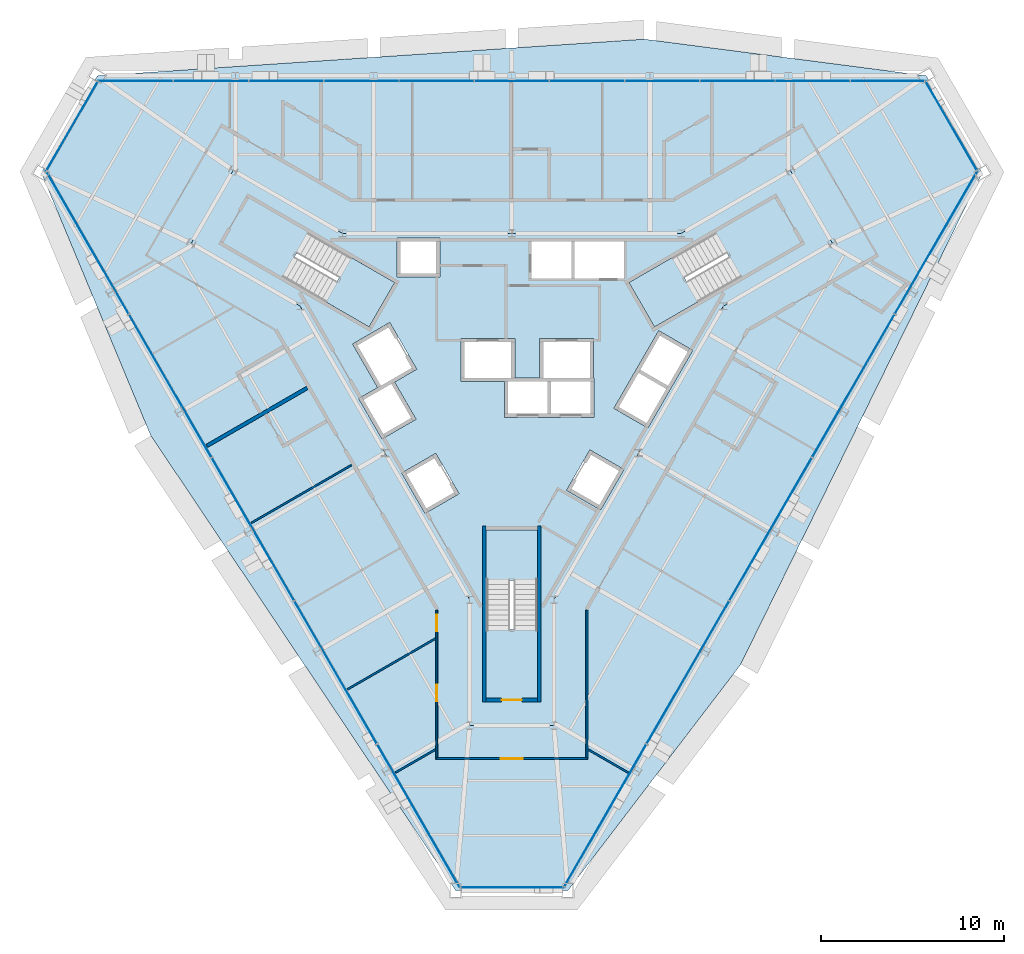
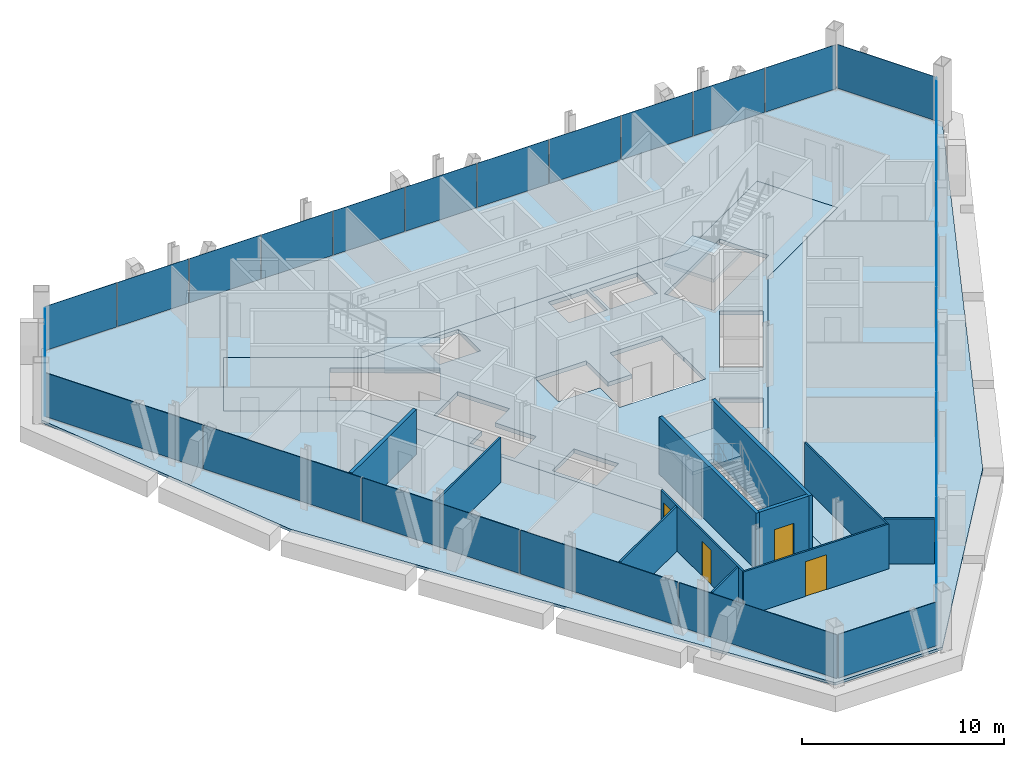
# One storey, part 8 of 13: 24 plates, 11 walls, 5 slabs, 4 doors, 4 openings, 9 elements without a shape of their own.
"""IFC4 building model written with IfcOpenShell, lengths in metres."""

import ifcopenshell
import ifcopenshell.guid

model = None  # the IFC model being written
_history = None  # IfcOwnerHistory: only IFC2X3 demands one
_inside = {}  # id of a spatial element -> (the spatial element, [elements in it])
_under = {}  # id of a project, library or spatial element -> (it, [spatial elements below it])
_declared = {}  # id of a project -> (the project, [libraries it declares])
_typed = {}  # id of a type object -> (the type object, [elements of that type])
_made_of = {}  # id of a material, layer set ... -> (it, [elements and type objects made of it])


def new_model(schema):
    """Start an empty IFC model of exactly this schema.

    Asked for "IFC4X3", IfcOpenShell would pick the latest addendum, in which some entities
    have other attributes; the version numbers below select the first issue.
    IFC2X3 requires an IfcOwnerHistory on every rooted entity: one is made here for all.
    """
    global model, _history
    if schema == "IFC4X3":
        model = ifcopenshell.file(schema_version=(4, 3, 0, 0))
    else:
        model = ifcopenshell.file(schema=schema)
    _inside.clear()
    _under.clear()
    _declared.clear()
    _typed.clear()
    _made_of.clear()
    _history = None
    if model.schema == "IFC2X3":
        org = make("IfcOrganization", Name="unknown")
        user = make(
            "IfcPersonAndOrganization",
            ThePerson=make("IfcPerson", FamilyName="unknown"),
            TheOrganization=org,
        )
        app = make(
            "IfcApplication",
            ApplicationDeveloper=org,
            Version="unknown",
            ApplicationFullName="unknown",
            ApplicationIdentifier="unknown",
        )
        _history = make(
            "IfcOwnerHistory",
            OwningUser=user,
            OwningApplication=app,
            ChangeAction="ADDED",
            CreationDate=0,
        )
    return model


def make(cls, **values):
    """One entity of the class cls with the attributes given. An attribute that is None is left unset."""
    return model.create_entity(
        cls, **{name: value for name, value in values.items() if value is not None}
    )


def rooted(cls, **values):
    """An entity with a GlobalId (a new one), such as an element, a storey or a relation."""
    return make(cls, GlobalId=ifcopenshell.guid.new(), OwnerHistory=_history, **values)


def si_unit(unit_type, name, prefix=None):
    """IfcSIUnit, for example si_unit("LENGTHUNIT", "METRE", prefix="MILLI")."""
    return make("IfcSIUnit", UnitType=unit_type, Prefix=prefix, Name=name)


def assignment(units):
    """IfcUnitAssignment: the units of a project."""
    return None if units is None else make("IfcUnitAssignment", Units=units)


def point(xyz):
    """IfcCartesianPoint."""
    return None if xyz is None else make("IfcCartesianPoint", Coordinates=xyz)


def direction(xyz):
    """IfcDirection."""
    return None if xyz is None else make("IfcDirection", DirectionRatios=xyz)


def frame(location, z_axis=None, x_axis=None):
    """IfcAxis2Placement3D, a coordinate frame: its origin and axes. An axis left out is left unset."""
    return make(
        "IfcAxis2Placement3D",
        Location=point(location),
        Axis=direction(z_axis),
        RefDirection=direction(x_axis),
    )


def frame_2d(location, x_axis=None):
    """IfcAxis2Placement2D, a coordinate frame in the plane: its origin and x axis."""
    return make(
        "IfcAxis2Placement2D", Location=point(location), RefDirection=direction(x_axis)
    )


def origin():
    """The frame at (0, 0, 0) with its axes left unset."""
    return frame((0.0, 0.0, 0.0))


def origin_2d():
    """The frame at (0, 0) in the plane with its x axis left unset."""
    return frame_2d((0.0, 0.0))


def place(relative_to, where):
    """IfcLocalPlacement: puts the frame where relative to a parent placement (None: the world)."""
    return make(
        "IfcLocalPlacement", PlacementRelTo=relative_to, RelativePlacement=where
    )


def context(
    kind, dimensions, precision=None, world=None, true_north=None, identifier=None
):
    """IfcGeometricRepresentationContext, for example the 3D "Model" context."""
    return make(
        "IfcGeometricRepresentationContext",
        ContextIdentifier=identifier,
        ContextType=kind,
        CoordinateSpaceDimension=dimensions,
        Precision=precision,
        WorldCoordinateSystem=world,
        TrueNorth=true_north,
    )


def subcontext(parent, identifier, kind, view, scale=None):
    """IfcGeometricRepresentationSubContext, for example "Body" below "Model"."""
    return make(
        "IfcGeometricRepresentationSubContext",
        ContextIdentifier=identifier,
        ContextType=kind,
        ParentContext=parent,
        TargetScale=scale,
        TargetView=view,
    )


def project(units=None, contexts=None):
    """IfcProject with its units and contexts."""
    return rooted(
        "IfcProject",
        Name="project",
        RepresentationContexts=contexts,
        UnitsInContext=assignment(units),
    )


def spatial(cls, under=None, at=None, **own):
    """A site, building, storey or space (cls), placed at a placement, below another one or the project."""
    s = rooted(cls, ObjectPlacement=at, **own)
    if under is not None:
        _under.setdefault(under.id(), (under, []))[1].append(s)
    return s


def polyline(points):
    """IfcPolyline through the points."""
    return make("IfcPolyline", Points=[point(p) for p in points])


def profile(cls, at=None, kind="AREA", **sizes):
    """A parametric profile (cls). Its sizes go by their IFC names, for example OverallWidth=200.0."""
    return make(cls, ProfileType=kind, Position=at, **sizes)


def rectangle(**sizes):
    """IfcRectangleProfileDef."""
    return profile("IfcRectangleProfileDef", **sizes)


def outline(outer, holes=None, kind="AREA"):
    """IfcArbitraryClosedProfileDef: a profile drawn as a closed curve; with holes, ...WithVoids."""
    if holes is None:
        return make("IfcArbitraryClosedProfileDef", ProfileType=kind, OuterCurve=outer)
    return make(
        "IfcArbitraryProfileDefWithVoids",
        ProfileType=kind,
        OuterCurve=outer,
        InnerCurves=holes,
    )


def extrude(swept, where, along, depth):
    """IfcExtrudedAreaSolid: the profile swept, set in the frame where, extruded along a direction by depth."""
    return make(
        "IfcExtrudedAreaSolid",
        SweptArea=swept,
        Position=where,
        ExtrudedDirection=direction(along),
        Depth=depth,
    )


def shape(context_of_items, identifier, shape_type, items):
    """IfcShapeRepresentation: the items that make up one representation, for example the "Body"."""
    return make(
        "IfcShapeRepresentation",
        ContextOfItems=context_of_items,
        RepresentationIdentifier=identifier,
        RepresentationType=shape_type,
        Items=items,
    )


def material(Name=None, Category=None):
    """IfcMaterial."""
    return make("IfcMaterial", Name=Name, Category=Category)


def layer(
    of_material, thickness, ventilated=None, Name=None, Category=None, Priority=None
):
    """IfcMaterialLayer: one layer of a wall or slab, of a material (None: an air gap)."""
    return make(
        "IfcMaterialLayer",
        Material=of_material,
        LayerThickness=thickness,
        IsVentilated=ventilated,
        Name=Name,
        Category=Category,
        Priority=Priority,
    )


def layer_set(layers, Name=None):
    """IfcMaterialLayerSet."""
    return make("IfcMaterialLayerSet", MaterialLayers=layers, LayerSetName=Name)


def made_of(thing, what):
    """Note that an element or type object is made of a material, layer set ...; save() writes the relation."""
    if what is not None:
        _made_of.setdefault(what.id(), (what, []))[1].append(thing)
    return thing


def type_object(cls, material=None, **own):
    """A type object (cls), such as IfcWallType, which elements share."""
    return made_of(rooted(cls, **own), material)


def element(
    cls,
    number,
    at=None,
    inside=None,
    cuts=None,
    type_object=None,
    material=None,
    context=None,
    identifier="Body",
    shape_type=None,
    held_by="IfcProductDefinitionShape",
    body=None,
    shapes=None,
    **own,
):
    """One element of the class cls, such as IfcWall. Its Tag is "e" and its number.

    at: its placement. inside: the storey or other place that contains it. cuts: it is an
    opening in that element (IfcRelVoidsElement). A single representation is given by context,
    identifier, shape_type and body (its items); several are given by shapes. held_by: the class
    of the entity that holds the representations. save() writes the other relations.
    """
    e = rooted(cls, Tag="e%d" % number, ObjectPlacement=at, **own)
    if body is not None:
        shapes = [shape(context, identifier, shape_type, body)]
    if shapes is not None:
        e.Representation = make(held_by, Representations=shapes)
    if inside is not None:
        _inside.setdefault(inside.id(), (inside, []))[1].append(e)
    if cuts is not None:
        rooted(
            "IfcRelVoidsElement", RelatingBuildingElement=cuts, RelatedOpeningElement=e
        )
    if type_object is not None:
        _typed.setdefault(type_object.id(), (type_object, []))[1].append(e)
    return made_of(e, material)


def fill(opening, filler):
    """IfcRelFillsElement: the door or window that sits in an opening."""
    return rooted(
        "IfcRelFillsElement",
        RelatingOpeningElement=opening,
        RelatedBuildingElement=filler,
    )


def aggregate(whole, parts):
    """IfcRelAggregates: a whole, such as a stair, and the parts it consists of."""
    return rooted("IfcRelAggregates", RelatingObject=whole, RelatedObjects=parts)


def save(model, path):
    """Write the relations noted so far, then the file.

    IfcRelAggregates (storeys below a building ...), IfcRelContainedInSpatialStructure (elements
    in a storey), IfcRelDefinesByType, IfcRelAssociatesMaterial and IfcRelDeclares: one each for
    every whole, place, type object, material and project.
    """
    for whole, parts in _under.values():
        aggregate(whole, parts)
    for where, things in _inside.values():
        rooted(
            "IfcRelContainedInSpatialStructure",
            RelatedElements=things,
            RelatingStructure=where,
        )
    for kind, things in _typed.values():
        rooted("IfcRelDefinesByType", RelatedObjects=things, RelatingType=kind)
    for what, things in _made_of.values():
        rooted("IfcRelAssociatesMaterial", RelatedObjects=things, RelatingMaterial=what)
    for by, libraries in _declared.values():
        rooted("IfcRelDeclares", RelatingContext=by, RelatedDefinitions=libraries)
    model.write(path)


model = new_model("IFC4")

# Units and contexts
model_context = context("Model", 3, precision=1e-05, world=origin(), true_north=direction((0.0, 1.0)))
body_context = subcontext(model_context, "Body", "Model", "MODEL_VIEW")
ifc_project = project(units=[si_unit("LENGTHUNIT", "METRE"), si_unit("AREAUNIT", "SQUARE_METRE"), si_unit("VOLUMEUNIT", "CUBIC_METRE"), si_unit("PLANEANGLEUNIT", "RADIAN"), si_unit("MASSUNIT", "GRAM", prefix="KILO")], contexts=[model_context])

# Site, building, storey
site_placement = place(None, origin())
site = spatial("IfcSite", under=ifc_project, at=site_placement, CompositionType="ELEMENT")
building_placement = place(site_placement, origin())
building = spatial("IfcBuilding", under=site, at=building_placement, Name="Verrane Prism Tower", CompositionType="ELEMENT")
storey_placement = place(building_placement, frame((0.0, 0.0, 152.5)))
storey = spatial("IfcBuildingStorey", under=building, at=storey_placement, Name="L37", CompositionType="ELEMENT", Elevation=152.5)

# Slabs
ifc_material_1 = material(Name="Concrete C35/45", Category="concrete")
ifc_layer_1 = layer(ifc_material_1, 0.159912109375)
ifc_layer_set_1 = layer_set([ifc_layer_1], Name="Composite floor slab")
slab_type_1 = type_object("IfcSlabType", Name="Composite floor slab", PredefinedType="FLOOR", material=ifc_layer_set_1)
slab_1_placement = place(storey_placement, frame((0.0, 0.0, -0.159912109375)))
element("IfcSlab", 1, at=slab_1_placement, inside=storey, type_object=slab_type_1, Name="Floor slab L37", PredefinedType="FLOOR", context=body_context, shape_type="SweptSolid", body=[
    extrude(outline(polyline([(12.493896484375, -15.580078125), (3.06298828125, -27.914794921875), (-3.06298828125, -27.914794921875), (-19.73974609375, -3.02978515625), (-25.706298828125, 11.3046875), (-22.643310546875, 16.610107421875), (7.245849609375, 18.610107421875), (22.643310546875, 16.610107421875), (25.706298828125, 11.3046875), (12.493896484375, -15.580078125)]), holes=[polyline([(17.52001953125, 7.4599609375), (15.219970703125, 11.43994140625), (9.260009765625, 8.0), (0.0, 8.0), (-9.260009765625, 8.0), (-15.219970703125, 11.43994140625), (-17.52001953125, 7.4599609375), (-11.56005859375, 4.02001953125), (-6.929931640625, -4.0), (-2.300048828125, -12.02001953125), (-2.300048828125, -18.89990234375), (2.300048828125, -18.89990234375), (2.300048828125, -12.02001953125), (6.929931640625, -4.0), (11.56005859375, 4.02001953125), (17.52001953125, 7.4599609375)])]), origin(), (0.0, 0.0, 1.0), 0.159912109375),
])
ifc_material_2 = material(Name="Concrete C40/50", Category="concrete")
ifc_layer_2 = layer(ifc_material_2, 0.25)
ifc_layer_set_2 = layer_set([ifc_layer_2], Name="Core floor slab 250 concrete C40/50")
slab_type_2 = type_object("IfcSlabType", Name="Core floor slab 250 concrete C40/50", PredefinedType="FLOOR", material=ifc_layer_set_2)
slab_2_placement = place(storey_placement, frame((0.0, 0.0, -0.25)))
element("IfcSlab", 2, at=slab_2_placement, inside=storey, type_object=slab_type_2, Name="Core floor L37", PredefinedType="FLOOR", context=body_context, shape_type="SweptSolid", body=[
    extrude(outline(polyline([(11.56005859375, 4.02001953125), (17.52001953125, 7.4599609375), (15.219970703125, 11.43994140625), (9.260009765625, 8.0), (0.0, 8.0), (-9.260009765625, 8.0), (-15.219970703125, 11.43994140625), (-17.52001953125, 7.4599609375), (-11.56005859375, 4.02001953125), (-6.929931640625, -4.0), (-2.300048828125, -12.02001953125), (-2.300048828125, -18.89990234375), (2.300048828125, -18.89990234375), (2.300048828125, -12.02001953125), (6.929931640625, -4.0), (11.56005859375, 4.02001953125)]), holes=[polyline([(1.39990234375, -8.199951171875), (1.39990234375, -13.639892578125), (-1.39990234375, -13.639892578125), (-1.39990234375, -8.199951171875), (1.39990234375, -8.199951171875)]), polyline([(-2.881103515625, -6.22998046875), (-4.742919921875, -7.304931640625), (-6.01806640625, -5.096923828125), (-4.156005859375, -4.02197265625), (-2.881103515625, -6.22998046875)]), polyline([(-7.801025390625, 2.887939453125), (-12.512939453125, 5.60791015625), (-11.113037109375, 8.031982421875), (-6.40087890625, 5.31201171875), (-7.801025390625, 2.887939453125)]), polyline([(-6.284912109375, 5.610107421875), (-6.284912109375, 7.760009765625), (-3.93505859375, 7.760009765625), (-3.93505859375, 5.610107421875), (-6.284912109375, 5.610107421875)]), polyline([(4.26611328125, -3.8310546875), (6.1279296875, -4.906005859375), (4.85302734375, -7.114990234375), (2.990966796875, -6.0400390625), (4.26611328125, -3.8310546875)]), polyline([(7.43798828125, -2.636962890625), (5.575927734375, -1.56201171875), (8.02587890625, 2.680908203125), (9.887939453125, 1.60595703125), (7.43798828125, -2.636962890625)]), polyline([(0.1650390625, 0.10009765625), (1.52490234375, 0.10009765625), (1.52490234375, 2.25), (4.47509765625, 2.25), (4.47509765625, 0.10009765625), (4.4951171875, 0.10009765625), (4.4951171875, -2.050048828125), (-0.405029296875, -2.050048828125), (-0.405029296875, -0.10009765625), (-2.784912109375, -0.10009765625), (-2.784912109375, 2.25), (0.1650390625, 2.25), (0.1650390625, 0.10009765625)]), polyline([(6.40087890625, 5.31201171875), (11.113037109375, 8.031982421875), (12.512939453125, 5.60791015625), (7.801025390625, 2.887939453125), (6.40087890625, 5.31201171875)]), polyline([(1.074951171875, 5.534912109375), (1.074951171875, 7.56005859375), (3.264892578125, 7.56005859375), (3.264892578125, 5.534912109375), (1.074951171875, 5.534912109375)]), polyline([(3.4150390625, 7.56005859375), (6.125, 7.56005859375), (6.125, 5.534912109375), (3.4150390625, 5.534912109375), (3.4150390625, 7.56005859375)]), polyline([(-5.23095703125, -2.159912109375), (-7.093017578125, -3.235107421875), (-8.367919921875, -1.02587890625), (-7.3291015625, -0.426025390625), (-8.7041015625, 1.955078125), (-6.66796875, 3.1298828125), (-5.193115234375, 0.574951171875), (-6.406005859375, -0.125), (-5.23095703125, -2.159912109375)])]), origin(), (0.0, 0.0, 1.0), 0.25),
])

# Curtain wall, plates
ifc_material_3 = material(Name="Aluminium framed insulated glazing", Category="aluminium")
curtain_wall_type_1 = type_object("IfcCurtainWallType", Name="Curtain wall CW-C 4200 module", PredefinedType="NOTDEFINED", material=ifc_material_3)
curtain_wall_1_placement = place(storey_placement, origin())
curtain_wall_1 = element("IfcCurtainWall", 3, at=curtain_wall_1_placement, inside=storey, type_object=curtain_wall_type_1, Name="Glazed curtain wall north face L37", PredefinedType="NOTDEFINED")
ifc_material_4 = material(Name="Low-iron insulating glass unit", Category="glass")
ifc_layer_3 = layer(ifc_material_4, 0.02392578125)
ifc_layer_set_3 = layer_set([ifc_layer_3], Name="Glazing panel IGU 24")
plate_type_1 = type_object("IfcPlateType", Name="Glazing panel IGU 24", PredefinedType="CURTAIN_PANEL", material=ifc_layer_set_3)
plate_1_placement = place(storey_placement, frame((20.532470703125, 16.3310546875, 0.0498046875), z_axis=(0.0, 0.0, 1.0), x_axis=(-1.0, 0.0, 0.0)))
plate_1 = element("IfcPlate", 4, at=plate_1_placement, type_object=plate_type_1, Name="CW36.2 panel 1", PredefinedType="CURTAIN_PANEL", context=body_context, shape_type="SweptSolid", body=[
    extrude(rectangle(XDim=4.033935546875, YDim=0.02392578125, at=origin_2d()), origin(), (0.0, 0.0, 1.0), 2.662841796875),
])
plate_2_placement = place(storey_placement, frame((16.43603515625, 16.3310546875, 0.0498046875), z_axis=(0.0, 0.0, 1.0), x_axis=(-1.0, 0.0, 0.0)))
plate_2 = element("IfcPlate", 5, at=plate_2_placement, type_object=plate_type_1, Name="CW36.2 panel 2", PredefinedType="CURTAIN_PANEL", context=body_context, shape_type="SweptSolid", body=[
    extrude(rectangle(XDim=4.05908203125, YDim=0.02392578125, at=origin_2d()), origin(), (0.0, 0.0, 1.0), 2.662841796875),
])
plate_3_placement = place(storey_placement, frame((12.3271484375, 16.3310546875, 0.0498046875), z_axis=(0.0, 0.0, 1.0), x_axis=(-1.0, 0.0, 0.0)))
plate_3 = element("IfcPlate", 6, at=plate_3_placement, type_object=plate_type_1, Name="CW36.2 panel 3", PredefinedType="CURTAIN_PANEL", context=body_context, shape_type="SweptSolid", body=[
    extrude(rectangle(XDim=4.05908203125, YDim=0.02392578125, at=origin_2d()), origin(), (0.0, 0.0, 1.0), 2.662841796875),
])
plate_4_placement = place(storey_placement, frame((8.218017578125, 16.3310546875, 0.0498046875), z_axis=(0.0, 0.0, 1.0), x_axis=(-1.0, 0.0, 0.0)))
plate_4 = element("IfcPlate", 7, at=plate_4_placement, type_object=plate_type_1, Name="CW36.2 panel 4", PredefinedType="CURTAIN_PANEL", context=body_context, shape_type="SweptSolid", body=[
    extrude(rectangle(XDim=4.05908203125, YDim=0.02392578125, at=origin_2d()), origin(), (0.0, 0.0, 1.0), 2.662841796875),
])
plate_5_placement = place(storey_placement, frame((4.109130859375, 16.3310546875, 0.0498046875), z_axis=(0.0, 0.0, 1.0), x_axis=(-1.0, 0.0, 0.0)))
plate_5 = element("IfcPlate", 8, at=plate_5_placement, type_object=plate_type_1, Name="CW36.2 panel 5", PredefinedType="CURTAIN_PANEL", context=body_context, shape_type="SweptSolid", body=[
    extrude(rectangle(XDim=4.05908203125, YDim=0.02392578125, at=origin_2d()), origin(), (0.0, 0.0, 1.0), 2.662841796875),
])
plate_6_placement = place(storey_placement, frame((0.0, 16.3310546875, 0.0498046875), z_axis=(0.0, 0.0, 1.0), x_axis=(-1.0, 0.0, 0.0)))
plate_6 = element("IfcPlate", 9, at=plate_6_placement, type_object=plate_type_1, Name="CW36.2 panel 6", PredefinedType="CURTAIN_PANEL", context=body_context, shape_type="SweptSolid", body=[
    extrude(rectangle(XDim=4.05908203125, YDim=0.02392578125, at=origin_2d()), origin(), (0.0, 0.0, 1.0), 2.662841796875),
])
plate_7_placement = place(storey_placement, frame((-4.109130859375, 16.3310546875, 0.0498046875), z_axis=(0.0, 0.0, 1.0), x_axis=(-1.0, 0.0, 0.0)))
plate_7 = element("IfcPlate", 10, at=plate_7_placement, type_object=plate_type_1, Name="CW36.2 panel 7", PredefinedType="CURTAIN_PANEL", context=body_context, shape_type="SweptSolid", body=[
    extrude(rectangle(XDim=4.05908203125, YDim=0.02392578125, at=origin_2d()), origin(), (0.0, 0.0, 1.0), 2.662841796875),
])
plate_8_placement = place(storey_placement, frame((-8.218017578125, 16.3310546875, 0.0498046875), z_axis=(0.0, 0.0, 1.0), x_axis=(-1.0, 0.0, 0.0)))
plate_8 = element("IfcPlate", 11, at=plate_8_placement, type_object=plate_type_1, Name="CW36.2 panel 8", PredefinedType="CURTAIN_PANEL", context=body_context, shape_type="SweptSolid", body=[
    extrude(rectangle(XDim=4.05908203125, YDim=0.02392578125, at=origin_2d()), origin(), (0.0, 0.0, 1.0), 2.662841796875),
])
plate_9_placement = place(storey_placement, frame((-12.3271484375, 16.3310546875, 0.0498046875), z_axis=(0.0, 0.0, 1.0), x_axis=(-1.0, 0.0, 0.0)))
plate_9 = element("IfcPlate", 12, at=plate_9_placement, type_object=plate_type_1, Name="CW36.2 panel 9", PredefinedType="CURTAIN_PANEL", context=body_context, shape_type="SweptSolid", body=[
    extrude(rectangle(XDim=4.05908203125, YDim=0.02392578125, at=origin_2d()), origin(), (0.0, 0.0, 1.0), 2.662841796875),
])
plate_10_placement = place(storey_placement, frame((-16.43603515625, 16.3310546875, 0.0498046875), z_axis=(0.0, 0.0, 1.0), x_axis=(-1.0, 0.0, 0.0)))
plate_10 = element("IfcPlate", 13, at=plate_10_placement, type_object=plate_type_1, Name="CW36.2 panel 10", PredefinedType="CURTAIN_PANEL", context=body_context, shape_type="SweptSolid", body=[
    extrude(rectangle(XDim=4.05908203125, YDim=0.02392578125, at=origin_2d()), origin(), (0.0, 0.0, 1.0), 2.662841796875),
])

# Curtain wall, plate
ifc_material_5 = material(Name="Aluminium framed insulated glazing", Category="aluminium")
curtain_wall_type_2 = type_object("IfcCurtainWallType", Name="Curtain wall CW-A 8400 module", PredefinedType="NOTDEFINED", material=ifc_material_5)
curtain_wall_2_placement = place(storey_placement, origin())
curtain_wall_2 = element("IfcCurtainWall", 14, at=curtain_wall_2_placement, inside=storey, type_object=curtain_wall_type_2, Name="Glazed curtain wall north-east corner L37", PredefinedType="NOTDEFINED")
ifc_material_6 = material(Name="Low-iron insulating glass unit", Category="glass")
ifc_layer_4 = layer(ifc_material_6, 0.031982421875)
ifc_layer_set_4 = layer_set([ifc_layer_4], Name="Glazing panel IGU 32")
plate_type_2 = type_object("IfcPlateType", Name="Glazing panel IGU 32", PredefinedType="CURTAIN_PANEL", material=ifc_layer_set_4)
plate_11_placement = place(storey_placement, frame((24.003662109375, 13.89892578125, 0.06982421875), z_axis=(0.0, 0.0, 1.0), x_axis=(-0.50000305052, 0.866023642559, 0.0)))
plate_11 = element("IfcPlate", 15, at=plate_11_placement, type_object=plate_type_2, Name="CW36.1 panel 1", PredefinedType="CURTAIN_PANEL", context=body_context, shape_type="SweptSolid", body=[
    extrude(rectangle(XDim=5.616455078125, YDim=0.031982421875, at=origin_2d()), origin(), (0.0, 0.0, 1.0), 2.642822265625),
])
aggregate(curtain_wall_2, [plate_11])

curtain_wall_3_placement = place(storey_placement, origin())
curtain_wall_3 = element("IfcCurtainWall", 16, at=curtain_wall_3_placement, inside=storey, type_object=curtain_wall_type_2, Name="Glazed curtain wall north-west corner L37", PredefinedType="NOTDEFINED")
plate_12_placement = place(storey_placement, frame((-24.038818359375, 13.83837890625, 0.06982421875), z_axis=(0.0, 0.0, 1.0), x_axis=(-0.50000305052, -0.866023642559, 0.0)))
plate_12 = element("IfcPlate", 17, at=plate_12_placement, type_object=plate_type_2, Name="CW36.3 panel 1", PredefinedType="CURTAIN_PANEL", context=body_context, shape_type="SweptSolid", body=[
    extrude(rectangle(XDim=5.616455078125, YDim=0.031982421875, at=origin_2d()), origin(), (0.0, 0.0, 1.0), 2.642822265625),
])
aggregate(curtain_wall_3, [plate_12])

# Curtain wall, plates
curtain_wall_4_placement = place(storey_placement, origin())
curtain_wall_4 = element("IfcCurtainWall", 18, at=curtain_wall_4_placement, inside=storey, type_object=curtain_wall_type_2, Name="Glazed curtain wall south-west face L37", PredefinedType="NOTDEFINED")
plate_13_placement = place(storey_placement, frame((-23.174072265625, 7.476806640625, 0.06982421875), z_axis=(0.0, 0.0, 1.0), x_axis=(0.500000531035, -0.866025097191, 0.0)))
plate_13 = element("IfcPlate", 19, at=plate_13_placement, type_object=plate_type_2, Name="CW36.4 panel 1", PredefinedType="CURTAIN_PANEL", context=body_context, shape_type="SweptSolid", body=[
    extrude(rectangle(XDim=8.934814453125, YDim=0.031982421875, at=origin_2d()), origin(), (0.0, 0.0, 1.0), 2.642822265625),
])
plate_14_placement = place(storey_placement, frame((-18.6630859375, -0.336669921875, 0.06982421875), z_axis=(0.0, 0.0, 1.0), x_axis=(0.500000531035, -0.866025097191, 0.0)))
plate_14 = element("IfcPlate", 20, at=plate_14_placement, type_object=plate_type_2, Name="CW36.4 panel 2", PredefinedType="CURTAIN_PANEL", context=body_context, shape_type="SweptSolid", body=[
    extrude(rectangle(XDim=8.9697265625, YDim=0.031982421875, at=origin_2d()), origin(), (0.0, 0.0, 1.0), 2.642822265625),
])
plate_15_placement = place(storey_placement, frame((-14.14306640625, -8.16552734375, 0.06982421875), z_axis=(0.0, 0.0, 1.0), x_axis=(0.500000531035, -0.866025097191, 0.0)))
plate_15 = element("IfcPlate", 21, at=plate_15_placement, type_object=plate_type_2, Name="CW36.4 panel 3", PredefinedType="CURTAIN_PANEL", context=body_context, shape_type="SweptSolid", body=[
    extrude(rectangle(XDim=8.9697265625, YDim=0.031982421875, at=origin_2d()), origin(), (0.0, 0.0, 1.0), 2.642822265625),
])
plate_16_placement = place(storey_placement, frame((-9.623291015625, -15.994140625, 0.06982421875), z_axis=(0.0, 0.0, 1.0), x_axis=(0.500000531035, -0.866025097191, 0.0)))
plate_16 = element("IfcPlate", 22, at=plate_16_placement, type_object=plate_type_2, Name="CW36.4 panel 4", PredefinedType="CURTAIN_PANEL", context=body_context, shape_type="SweptSolid", body=[
    extrude(rectangle(XDim=8.9697265625, YDim=0.031982421875, at=origin_2d()), origin(), (0.0, 0.0, 1.0), 2.642822265625),
])
plate_17_placement = place(storey_placement, frame((-5.094482421875, -23.838134765625, 0.06982421875), z_axis=(0.0, 0.0, 1.0), x_axis=(0.500000531035, -0.866025097191, 0.0)))
plate_17 = element("IfcPlate", 23, at=plate_17_placement, type_object=plate_type_2, Name="CW36.4 panel 5", PredefinedType="CURTAIN_PANEL", context=body_context, shape_type="SweptSolid", body=[
    extrude(rectangle(XDim=9.0048828125, YDim=0.031982421875, at=origin_2d()), origin(), (0.0, 0.0, 1.0), 2.642822265625),
])
aggregate(curtain_wall_4, [plate_13, plate_14, plate_15, plate_16, plate_17])

# Curtain wall, plate
curtain_wall_5_placement = place(storey_placement, origin())
curtain_wall_5 = element("IfcCurtainWall", 24, at=curtain_wall_5_placement, inside=storey, type_object=curtain_wall_type_2, Name="Glazed curtain wall south corner L37", PredefinedType="NOTDEFINED")
plate_18_placement = place(storey_placement, frame((0.034912109375, -27.7373046875, 0.06982421875), z_axis=(0.0, 0.0, 1.0), x_axis=(1.0, 0.0, 0.0)))
plate_18 = element("IfcPlate", 25, at=plate_18_placement, type_object=plate_type_2, Name="CW36.5 panel 1", PredefinedType="CURTAIN_PANEL", context=body_context, shape_type="SweptSolid", body=[
    extrude(rectangle(XDim=5.61669921875, YDim=0.031982421875, at=origin_2d()), origin(), (0.0, 0.0, 1.0), 2.642822265625),
])
aggregate(curtain_wall_5, [plate_18])

# Curtain wall, plates
curtain_wall_6_placement = place(storey_placement, origin())
curtain_wall_6 = element("IfcCurtainWall", 26, at=curtain_wall_6_placement, inside=storey, type_object=curtain_wall_type_2, Name="Glazed curtain wall south-east face L37", PredefinedType="NOTDEFINED")
plate_19_placement = place(storey_placement, frame((5.112060546875, -23.807861328125, 0.06982421875), z_axis=(0.0, 0.0, 1.0), x_axis=(0.500000531035, 0.866025097191, 0.0)))
plate_19 = element("IfcPlate", 27, at=plate_19_placement, type_object=plate_type_2, Name="CW36.6 panel 1", PredefinedType="CURTAIN_PANEL", context=body_context, shape_type="SweptSolid", body=[
    extrude(rectangle(XDim=8.934814453125, YDim=0.031982421875, at=origin_2d()), origin(), (0.0, 0.0, 1.0), 2.642822265625),
])
plate_20_placement = place(storey_placement, frame((9.623291015625, -15.994140625, 0.06982421875), z_axis=(0.0, 0.0, 1.0), x_axis=(0.500000531035, 0.866025097191, 0.0)))
plate_20 = element("IfcPlate", 28, at=plate_20_placement, type_object=plate_type_2, Name="CW36.6 panel 2", PredefinedType="CURTAIN_PANEL", context=body_context, shape_type="SweptSolid", body=[
    extrude(rectangle(XDim=8.9697265625, YDim=0.031982421875, at=origin_2d()), origin(), (0.0, 0.0, 1.0), 2.642822265625),
])
plate_21_placement = place(storey_placement, frame((14.14306640625, -8.16552734375, 0.06982421875), z_axis=(0.0, 0.0, 1.0), x_axis=(0.500000531035, 0.866025097191, 0.0)))
plate_21 = element("IfcPlate", 29, at=plate_21_placement, type_object=plate_type_2, Name="CW36.6 panel 3", PredefinedType="CURTAIN_PANEL", context=body_context, shape_type="SweptSolid", body=[
    extrude(rectangle(XDim=8.9697265625, YDim=0.031982421875, at=origin_2d()), origin(), (0.0, 0.0, 1.0), 2.642822265625),
])
plate_22_placement = place(storey_placement, frame((18.6630859375, -0.336669921875, 0.06982421875), z_axis=(0.0, 0.0, 1.0), x_axis=(0.500000531035, 0.866025097191, 0.0)))
plate_22 = element("IfcPlate", 30, at=plate_22_placement, type_object=plate_type_2, Name="CW36.6 panel 4", PredefinedType="CURTAIN_PANEL", context=body_context, shape_type="SweptSolid", body=[
    extrude(rectangle(XDim=8.9697265625, YDim=0.031982421875, at=origin_2d()), origin(), (0.0, 0.0, 1.0), 2.642822265625),
])
plate_23_placement = place(storey_placement, frame((23.191650390625, 7.507080078125, 0.06982421875), z_axis=(0.0, 0.0, 1.0), x_axis=(0.500000531035, 0.866025097191, 0.0)))
plate_23 = element("IfcPlate", 31, at=plate_23_placement, type_object=plate_type_2, Name="CW36.6 panel 5", PredefinedType="CURTAIN_PANEL", context=body_context, shape_type="SweptSolid", body=[
    extrude(rectangle(XDim=9.0048828125, YDim=0.031982421875, at=origin_2d()), origin(), (0.0, 0.0, 1.0), 2.642822265625),
])
aggregate(curtain_wall_6, [plate_19, plate_20, plate_21, plate_22, plate_23])

# Stair, slab
ifc_material_7 = material(Name="Concrete C40/50", Category="concrete")
stair_type = type_object("IfcStairType", Name="Exit stair 1300 dog-leg precast concrete C40/50", PredefinedType="HALF_TURN_STAIR", material=ifc_material_7)
stair_1_placement = place(storey_placement, origin())
stair_1 = element("IfcStair", 32, at=stair_1_placement, inside=storey, type_object=stair_type, Name="Stair 1 L37", PredefinedType="HALF_TURN_STAIR")
ifc_material_8 = material(Name="Concrete C40/50", Category="concrete")
ifc_layer_5 = layer(ifc_material_8, 0.199951171875)
ifc_layer_set_5 = layer_set([ifc_layer_5], Name="Stair landing 200 precast concrete C40/50")
slab_type_3 = type_object("IfcSlabType", Name="Stair landing 200 precast concrete C40/50", PredefinedType="LANDING", material=ifc_layer_set_5)
slab_3_placement = place(storey_placement, frame((0.0, 0.0, 1.64990234375)))
slab_3 = element("IfcSlab", 33, at=slab_3_placement, type_object=slab_type_3, Name="Stair 1 landing 1", PredefinedType="LANDING", context=body_context, shape_type="SweptSolid", body=[
    extrude(outline(polyline([(8.791748046875, 6.6923828125), (6.4013671875, 5.3125), (7.801513671875, 2.887451171875), (10.191650390625, 4.267578125), (8.791748046875, 6.6923828125)])), origin(), (0.0, 0.0, 1.0), 0.2001953125),
])
aggregate(stair_1, [slab_3])

stair_2_placement = place(storey_placement, origin())
stair_2 = element("IfcStair", 34, at=stair_2_placement, inside=storey, type_object=stair_type, Name="Stair 2 L37", PredefinedType="HALF_TURN_STAIR")
slab_4_placement = place(storey_placement, frame((0.0, 0.0, 1.64990234375)))
slab_4 = element("IfcSlab", 35, at=slab_4_placement, type_object=slab_type_3, Name="Stair 2 landing 1", PredefinedType="LANDING", context=body_context, shape_type="SweptSolid", body=[
    extrude(outline(polyline([(-10.191650390625, 4.267578125), (-7.801513671875, 2.887451171875), (-6.4013671875, 5.3125), (-8.791748046875, 6.6923828125), (-10.191650390625, 4.267578125)])), origin(), (0.0, 0.0, 1.0), 0.2001953125),
])
aggregate(stair_2, [slab_4])

stair_3_placement = place(storey_placement, origin())
stair_3 = element("IfcStair", 36, at=stair_3_placement, inside=storey, type_object=stair_type, Name="Stair 3 L37", PredefinedType="HALF_TURN_STAIR")
slab_5_placement = place(storey_placement, frame((0.0, 0.0, 1.64990234375)))
slab_5 = element("IfcSlab", 37, at=slab_5_placement, type_object=slab_type_3, Name="Stair 3 landing 1", PredefinedType="LANDING", context=body_context, shape_type="SweptSolid", body=[
    extrude(outline(polyline([(1.39990234375, -10.9599609375), (1.39990234375, -8.199951171875), (-1.39990234375, -8.199951171875), (-1.39990234375, -10.9599609375), (1.39990234375, -10.9599609375)])), origin(), (0.0, 0.0, 1.0), 0.2001953125),
])
aggregate(stair_3, [slab_5])

# Plate
ifc_material_9 = material(Name="Warm limestone cladding", Category="masonry")
ifc_layer_6 = layer(ifc_material_9, 0.028076171875)
ifc_layer_set_6 = layer_set([ifc_layer_6], Name="Stone-faced spandrel panel 28")
plate_type_3 = type_object("IfcPlateType", Name="Stone-faced spandrel panel 28", PredefinedType="CURTAIN_PANEL", material=ifc_layer_set_6)
plate_24_placement = place(storey_placement, frame((-20.5576171875, 16.3310546875, 0.0498046875), z_axis=(0.0, 0.0, 1.0), x_axis=(-1.0, 0.0, 0.0)))
plate_24 = element("IfcPlate", 38, at=plate_24_placement, type_object=plate_type_3, Name="CW36.2 panel 11", PredefinedType="CURTAIN_PANEL", context=body_context, shape_type="SweptSolid", body=[
    extrude(rectangle(XDim=4.083984375, YDim=0.028076171875, at=origin_2d()), origin(), (0.0, 0.0, 1.0), 2.662841796875),
])

aggregate(curtain_wall_1, [plate_1, plate_2, plate_3, plate_4, plate_5, plate_6, plate_7, plate_8, plate_9, plate_10, plate_24])

# Wall, opening, door
ifc_material_10 = material(Name="Concrete C40/50", Category="concrete")
ifc_layer_7 = layer(ifc_material_10, 0.199951171875)
ifc_layer_set_7 = layer_set([ifc_layer_7], Name="CW-200 stair core wall concrete C40/50 3 h")
wall_type_1 = type_object("IfcWallType", Name="CW-200 stair core wall concrete C40/50 3 h", PredefinedType="PARTITIONING", material=ifc_layer_set_7)
wall_1_placement = place(storey_placement, frame((-1.39990234375, -17.5, 0.0), z_axis=(0.0, 0.0, 1.0), x_axis=(1.0, 0.0, 0.0)))
wall_1 = element("IfcWall", 39, at=wall_1_placement, inside=storey, type_object=wall_type_1, Name="Stair 3 enclosure wall", PredefinedType="PARTITIONING", context=body_context, shape_type="SweptSolid", body=[
    extrude(rectangle(XDim=2.7998046875, YDim=0.199951171875, at=frame_2d((1.39990234375, 0.0))), origin(), (0.0, 0.0, 1.0), 3.449951171875),
])
opening_1_placement = place(wall_1_placement, frame((0.85009765625, 0.0, 0.0)))
opening_1 = element("IfcOpeningElement", 40, at=opening_1_placement, cuts=wall_1, Name="Opening D36502", PredefinedType="OPENING", context=body_context, shape_type="SweptSolid", body=[
    extrude(rectangle(XDim=1.10009765625, YDim=2.10009765625, at=frame_2d((0.550048828125, 1.050048828125))), frame((0.0, 0.10986328125, 0.0), z_axis=(0.0, -1.0, 0.0), x_axis=(1.0, 0.0, 0.0)), (0.0, 0.0, 1.0), 0.219970703125),
])
ifc_material_11 = material(Name="Timber veneered door leaf", Category="wood")
door_type_1 = type_object("IfcDoorType", Name="DR-1100x2100 FD90 single leaf stair", OperationType="NOTDEFINED", PredefinedType="DOOR", material=ifc_material_11)
door_1_placement = place(opening_1_placement, origin())
door_1 = element("IfcDoor", 41, at=door_1_placement, inside=storey, type_object=door_type_1, Name="Stair 3 door", OperationType="SINGLE_SWING_LEFT", OverallHeight=2.10009765625, OverallWidth=1.10009765625, PredefinedType="DOOR", context=body_context, shape_type="SweptSolid", body=[
    extrude(rectangle(XDim=1.10009765625, YDim=2.10009765625, at=frame_2d((0.550048828125, 1.050048828125))), frame((0.0, 0.02490234375, 0.0), z_axis=(0.0, -1.0, 0.0), x_axis=(1.0, 0.0, 0.0)), (0.0, 0.0, 1.0), 0.050048828125),
])
fill(opening_1, door_1)

# Walls
for number, where, z_axis, x_axis, name in (
    (42, (1.5, -8.0, 0.0), (0.0, 0.0, 1.0), (0.0, -1.0, 0.0), "Stair 3 enclosure wall"),
    (43, (-1.5, -8.0, 0.0), (0.0, 0.0, 1.0), (0.0, -1.0, 0.0), "Stair 3 enclosure wall"),
):
    element("IfcWall", number, at=place(storey_placement, frame(where, z_axis=z_axis, x_axis=x_axis)), inside=storey, type_object=wall_type_1, Name=name, PredefinedType="PARTITIONING", context=body_context, shape_type="SweptSolid", body=[
        extrude(rectangle(XDim=9.60009765625, YDim=0.199951171875, at=frame_2d((4.800048828125, 0.0))), origin(), (0.0, 0.0, 1.0), 3.449951171875),
    ])
ifc_material_12 = material(Name="Gypsum board partition", Category="other")
ifc_layer_8 = layer(ifc_material_12, 0.10009765625)
ifc_layer_set_8 = layer_set([ifc_layer_8], Name="PW-100 room partition")
wall_type_2 = type_object("IfcWallType", Name="PW-100 room partition", PredefinedType="PARTITIONING", material=ifc_layer_set_8)
wall_2_placement = place(storey_placement, frame((-14.23046875, -7.82275390625, 0.0), z_axis=(0.0, 0.0, 1.0), x_axis=(0.866021249958, 0.50000719457, 0.0)))
element("IfcWall", 44, at=wall_2_placement, inside=storey, type_object=wall_type_2, Name="Room partition 010", PredefinedType="PARTITIONING", context=body_context, shape_type="SweptSolid", body=[
    extrude(rectangle(XDim=6.33349609375, YDim=0.10009765625, at=frame_2d((3.166748046875, 0.0))), origin(), (0.0, 0.0, 1.0), 2.712890625),
])
wall_3_placement = place(storey_placement, frame((-8.979248046875, -16.917724609375, 0.0), z_axis=(0.0, 0.0, 1.0), x_axis=(0.866046339293, 0.499963736882, 0.0)))
element("IfcWall", 45, at=wall_3_placement, inside=storey, type_object=wall_type_2, Name="Room partition 019", PredefinedType="PARTITIONING", context=body_context, shape_type="SweptSolid", body=[
    extrude(rectangle(XDim=5.54736328125, YDim=0.10009765625, at=frame_2d((2.773681640625, 0.0))), origin(), (0.0, 0.0, 1.0), 2.712890625),
])
wall_4_placement = place(storey_placement, frame((-6.35400390625, -21.465087890625, 0.0), z_axis=(0.0, 0.0, 1.0), x_axis=(0.866061165757, 0.499938053331, 0.0)))
element("IfcWall", 46, at=wall_4_placement, inside=storey, type_object=wall_type_2, Name="Room partition 022", PredefinedType="PARTITIONING", context=body_context, shape_type="SweptSolid", body=[
    extrude(rectangle(XDim=2.515869140625, YDim=0.10009765625, at=frame_2d((1.2578125, 0.0))), origin(), (0.0, 0.0, 1.0), 2.712890625),
])

# Wall, openings, doors
wall_5_placement = place(storey_placement, frame((-4.10009765625, -20.64990234375, 0.0), z_axis=(0.0, 0.0, 1.0), x_axis=(0.0, 1.0, 0.0)))
wall_5 = element("IfcWall", 47, at=wall_5_placement, inside=storey, type_object=wall_type_2, Name="Room partition 024", PredefinedType="PARTITIONING", context=body_context, shape_type="SweptSolid", body=[
    extrude(rectangle(XDim=8.06298828125, YDim=0.10009765625, at=frame_2d((4.031494140625, 0.0))), origin(), (0.0, 0.0, 1.0), 2.712890625),
])
opening_2_placement = place(wall_5_placement, frame((6.89892578125, 0.0, 0.0)))
opening_2 = element("IfcOpeningElement", 48, at=opening_2_placement, cuts=wall_5, Name="Opening D36027", PredefinedType="OPENING", context=body_context, shape_type="SweptSolid", body=[
    extrude(rectangle(XDim=0.89990234375, YDim=2.10009765625, at=frame_2d((0.449951171875, 1.050048828125))), frame((0.0, 0.06005859375, 0.0), z_axis=(0.0, -1.0, 0.0), x_axis=(1.0, 0.0, 0.0)), (0.0, 0.0, 1.0), 0.1201171875),
])
opening_3_placement = place(wall_5_placement, frame((3.0859375, 0.0, 0.0)))
opening_3 = element("IfcOpeningElement", 49, at=opening_3_placement, cuts=wall_5, Name="Opening D36028", PredefinedType="OPENING", context=body_context, shape_type="SweptSolid", body=[
    extrude(rectangle(XDim=0.89990234375, YDim=2.10009765625, at=frame_2d((0.449951171875, 1.050048828125))), frame((0.0, 0.06005859375, 0.0), z_axis=(0.0, -1.0, 0.0), x_axis=(1.0, 0.0, 0.0)), (0.0, 0.0, 1.0), 0.1201171875),
])
ifc_material_13 = material(Name="Timber veneered door leaf", Category="wood")
door_type_2 = type_object("IfcDoorType", Name="DR-900x2100 single leaf unit", OperationType="NOTDEFINED", PredefinedType="DOOR", material=ifc_material_13)
door_2_placement = place(opening_2_placement, origin())
door_2 = element("IfcDoor", 50, at=door_2_placement, inside=storey, type_object=door_type_2, Name="Study door", OperationType="SINGLE_SWING_LEFT", OverallHeight=2.10009765625, OverallWidth=0.89990234375, PredefinedType="DOOR", context=body_context, shape_type="SweptSolid", body=[
    extrude(rectangle(XDim=0.89990234375, YDim=2.10009765625, at=frame_2d((0.449951171875, 1.050048828125))), frame((0.0, 0.02490234375, 0.0), z_axis=(0.0, -1.0, 0.0), x_axis=(1.0, 0.0, 0.0)), (0.0, 0.0, 1.0), 0.050048828125),
])
fill(opening_2, door_2)
door_3_placement = place(opening_3_placement, origin())
door_3 = element("IfcDoor", 51, at=door_3_placement, inside=storey, type_object=door_type_2, Name="Study door", OperationType="SINGLE_SWING_RIGHT", OverallHeight=2.10009765625, OverallWidth=0.89990234375, PredefinedType="DOOR", context=body_context, shape_type="SweptSolid", body=[
    extrude(rectangle(XDim=0.89990234375, YDim=2.10009765625, at=frame_2d((0.449951171875, 1.050048828125))), frame((0.0, 0.02490234375, 0.0), z_axis=(0.0, -1.0, 0.0), x_axis=(1.0, 0.0, 0.0)), (0.0, 0.0, 1.0), 0.050048828125),
])
fill(opening_3, door_3)

# Wall, opening, door
wall_6_placement = place(storey_placement, frame((4.14990234375, -20.699951171875, 0.0), z_axis=(0.0, 0.0, 1.0), x_axis=(-1.0, 0.0, 0.0)))
wall_6 = element("IfcWall", 52, at=wall_6_placement, inside=storey, type_object=wall_type_2, Name="Room partition 025", PredefinedType="PARTITIONING", context=body_context, shape_type="SweptSolid", body=[
    extrude(rectangle(XDim=8.2998046875, YDim=0.10009765625, at=frame_2d((4.14990234375, 0.0))), origin(), (0.0, 0.0, 1.0), 2.712890625),
])
opening_4_placement = place(wall_6_placement, frame((3.550048828125, 0.0, 0.0)))
opening_4 = element("IfcOpeningElement", 53, at=opening_4_placement, cuts=wall_6, Name="Opening D36029", PredefinedType="OPENING", context=body_context, shape_type="SweptSolid", body=[
    extrude(rectangle(XDim=1.199951171875, YDim=2.10009765625, at=frame_2d((0.60009765625, 1.050048828125))), frame((0.0, 0.06005859375, 0.0), z_axis=(0.0, -1.0, 0.0), x_axis=(1.0, 0.0, 0.0)), (0.0, 0.0, 1.0), 0.1201171875),
])
ifc_material_14 = material(Name="Timber veneered door leaf", Category="wood")
door_type_3 = type_object("IfcDoorType", Name="DR-1200x2100 single leaf unit", OperationType="NOTDEFINED", PredefinedType="DOOR", material=ifc_material_14)
door_4_placement = place(opening_4_placement, origin())
door_4 = element("IfcDoor", 54, at=door_4_placement, inside=storey, type_object=door_type_3, Name="Living And Dining Room door", OperationType="SINGLE_SWING_RIGHT", OverallHeight=2.10009765625, OverallWidth=1.199951171875, PredefinedType="DOOR", context=body_context, shape_type="SweptSolid", body=[
    extrude(rectangle(XDim=1.199951171875, YDim=2.10009765625, at=frame_2d((0.60009765625, 1.050048828125))), frame((0.0, 0.02490234375, 0.0), z_axis=(0.0, -1.0, 0.0), x_axis=(1.0, 0.0, 0.0)), (0.0, 0.0, 1.0), 0.050048828125),
])
fill(opening_4, door_4)

# Walls
wall_7_placement = place(storey_placement, frame((4.10009765625, -20.64990234375, 0.0), z_axis=(0.0, 0.0, 1.0), x_axis=(0.0, 1.0, 0.0)))
element("IfcWall", 55, at=wall_7_placement, inside=storey, type_object=wall_type_2, Name="Room partition 029", PredefinedType="PARTITIONING", context=body_context, shape_type="SweptSolid", body=[
    extrude(rectangle(XDim=8.06298828125, YDim=0.10009765625, at=frame_2d((4.031494140625, 0.0))), origin(), (0.0, 0.0, 1.0), 2.712890625),
])
wall_8_placement = place(storey_placement, frame((4.175048828125, -20.207275390625, 0.0), z_axis=(0.0, 0.0, 1.0), x_axis=(0.866061165757, -0.499938053331, 0.0)))
element("IfcWall", 56, at=wall_8_placement, inside=storey, type_object=wall_type_2, Name="Room partition 030", PredefinedType="PARTITIONING", context=body_context, shape_type="SweptSolid", body=[
    extrude(rectangle(XDim=2.515869140625, YDim=0.10009765625, at=frame_2d((1.2578125, 0.0))), origin(), (0.0, 0.0, 1.0), 2.712890625),
])
ifc_material_15 = material(Name="Gypsum board partition", Category="other")
ifc_layer_9 = layer(ifc_material_15, 0.199951171875)
ifc_layer_set_9 = layer_set([ifc_layer_9], Name="PW-200 plumbing wall")
wall_type_3 = type_object("IfcWallType", Name="PW-200 plumbing wall", PredefinedType="PARTITIONING", material=ifc_layer_set_9)
wall_9_placement = place(storey_placement, frame((-16.66162109375, -3.61181640625, 0.0), z_axis=(0.0, 0.0, 1.0), x_axis=(0.866030886774, 0.499990503064, 0.0)))
element("IfcWall", 57, at=wall_9_placement, inside=storey, type_object=wall_type_3, Name="Plumbing wall 005", PredefinedType="PARTITIONING", context=body_context, shape_type="SweptSolid", body=[
    extrude(rectangle(XDim=6.33349609375, YDim=0.199951171875, at=frame_2d((3.166748046875, 0.0))), origin(), (0.0, 0.0, 1.0), 2.712890625),
])

save(model, "model.ifc")
